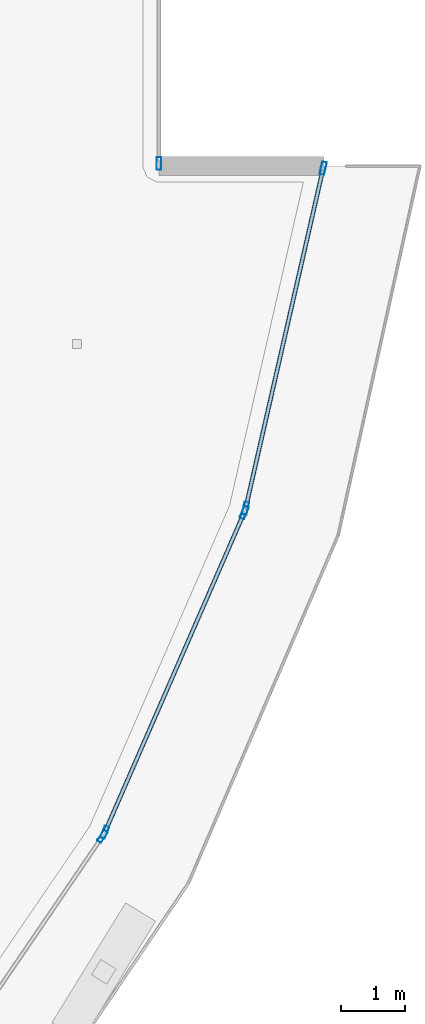
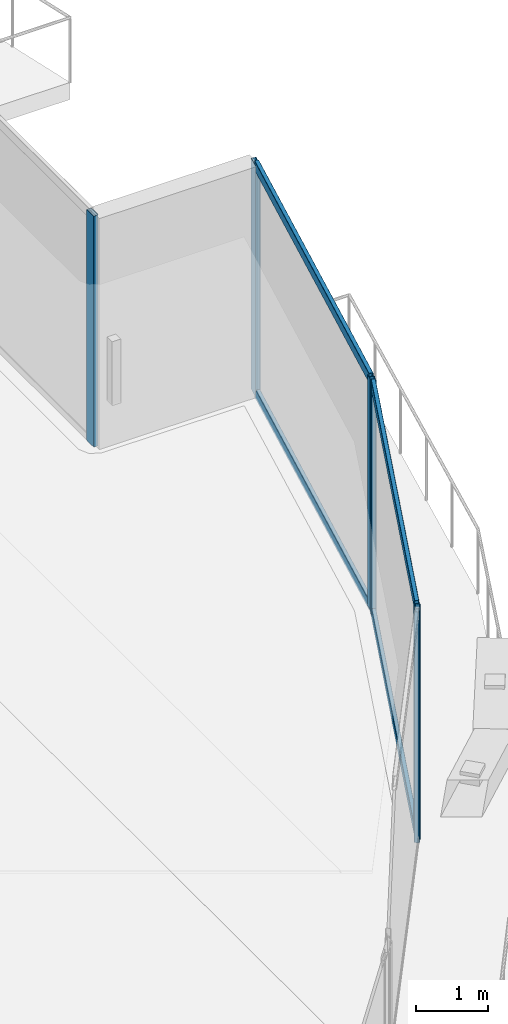
# One storey, part 9 of 31: 10 members, 4 elements without a shape of their own.
"""IFC4 building model written with IfcOpenShell, lengths in metres."""

from ifc_helpers import new_model, si_unit, direction, frame, origin, origin_2d, place, context, subcontext, project, spatial, hollow_rectangle, extrude, material, layer, layer_set, material_profile, profile_set, type_object, element, aggregate, save


model = new_model("IFC4")

# Units and contexts
model_context = context("Model", 3, precision=1e-05, world=origin(), true_north=direction((0.0, 1.0)))
body_context = subcontext(model_context, "Body", "Model", "MODEL_VIEW")
ifc_project = project(units=[si_unit("LENGTHUNIT", "METRE"), si_unit("AREAUNIT", "SQUARE_METRE"), si_unit("VOLUMEUNIT", "CUBIC_METRE"), si_unit("PLANEANGLEUNIT", "RADIAN"), si_unit("MASSUNIT", "GRAM", prefix="KILO")], contexts=[model_context])

# Site, building, storey
site_placement = place(None, origin())
site = spatial("IfcSite", under=ifc_project, at=site_placement, CompositionType="ELEMENT")
building_placement = place(site_placement, origin())
building = spatial("IfcBuilding", under=site, at=building_placement, Name="Qorvath Tower", CompositionType="ELEMENT")
storey_placement = place(building_placement, frame((0.0, 0.0, 259.800048828125)))
storey = spatial("IfcBuildingStorey", under=building, at=storey_placement, Name="L60", CompositionType="ELEMENT", Elevation=259.800048828125)

# Curtain wall, member
ifc_material_1 = material(Name="Anodised aluminium and triple low-E glass", Category="aluminium")
ifc_layer = layer(ifc_material_1, 0.179931640625)
ifc_layer_set = layer_set([ifc_layer], Name="CW-SYS-4")
curtain_wall_type = type_object("IfcCurtainWallType", Name="CW-SYS-4", PredefinedType="NOTDEFINED", material=ifc_layer_set)
curtain_wall_1_placement = place(storey_placement, origin())
curtain_wall_1 = element("IfcCurtainWall", 1, at=curtain_wall_1_placement, inside=storey, type_object=curtain_wall_type, Name="Curtain Wall CW-4 CW-T-L60-5.1", PredefinedType="NOTDEFINED")
ifc_material_2 = material(Name="Anodised aluminium 6063-T6", Category="aluminium")
ifc_material_profile_1 = material_profile(ifc_material_2, hollow_rectangle(XDim=0.074951171875, YDim=0.199951171875, WallThickness=0.00390625, InnerFilletRadius=0.00390625, OuterFilletRadius=0.008056640625, at=origin_2d()), Name="CWM 200x75")
ifc_profile_set_1 = profile_set([ifc_material_profile_1], Name="Anodised aluminium 6063-T6")
member_type_1 = type_object("IfcMemberType", Name="CWM-200", PredefinedType="MULLION", material=ifc_profile_set_1)
member_1_placement = place(storey_placement, frame((-4.93310546875, -14.375732421875, 0.0), z_axis=(0.0, 0.0, 1.0), x_axis=(-0.826358006639, 0.563145136589, 0.0)))
member_1 = element("IfcMember", 2, at=member_1_placement, type_object=member_type_1, Name="CW-4 mullion 2", PredefinedType="MULLION", context=body_context, shape_type="SweptSolid", body=[
    extrude(hollow_rectangle(XDim=0.074951171875, YDim=0.199951171875, WallThickness=0.00390625, InnerFilletRadius=0.00390625, OuterFilletRadius=0.008056640625, at=origin_2d()), origin(), (0.0, 0.0, 1.0), 3.909912109375),
])
aggregate(curtain_wall_1, [member_1])

# Curtain wall, members
curtain_wall_2_placement = place(storey_placement, origin())
curtain_wall_2 = element("IfcCurtainWall", 3, at=curtain_wall_2_placement, inside=storey, type_object=curtain_wall_type, Name="Curtain Wall CW-4 CW-T-L60-6.1", PredefinedType="NOTDEFINED")
member_2_placement = place(storey_placement, frame((-4.89697265625, -14.310302734375, 0.0), z_axis=(0.0, 0.0, 1.0), x_axis=(-0.916612312055, 0.399777274729, 0.0)))
member_2 = element("IfcMember", 4, at=member_2_placement, type_object=member_type_1, Name="CW-4 mullion 1", PredefinedType="MULLION", context=body_context, shape_type="SweptSolid", body=[
    extrude(hollow_rectangle(XDim=0.074951171875, YDim=0.199951171875, WallThickness=0.00390625, InnerFilletRadius=0.00390625, OuterFilletRadius=0.008056640625, at=origin_2d()), origin(), (0.0, 0.0, 1.0), 3.909912109375),
])
member_3_placement = place(storey_placement, frame((-2.71337890625, -9.30419921875, 0.0), z_axis=(0.0, 0.0, 1.0), x_axis=(-0.916612312055, 0.399777274729, 0.0)))
member_3 = element("IfcMember", 5, at=member_3_placement, type_object=member_type_1, Name="CW-4 mullion 2", PredefinedType="MULLION", context=body_context, shape_type="SweptSolid", body=[
    extrude(hollow_rectangle(XDim=0.074951171875, YDim=0.199951171875, WallThickness=0.00390625, InnerFilletRadius=0.00390625, OuterFilletRadius=0.008056640625, at=origin_2d()), origin(), (0.0, 0.0, 1.0), 3.909912109375),
])

curtain_wall_3_placement = place(storey_placement, origin())
curtain_wall_3 = element("IfcCurtainWall", 6, at=curtain_wall_3_placement, inside=storey, type_object=curtain_wall_type, Name="Curtain Wall CW-4 CW-T-L60-7.1", PredefinedType="NOTDEFINED")
member_4_placement = place(storey_placement, frame((-2.690185546875, -9.233154296875, 0.0), z_axis=(0.0, 0.0, 1.0), x_axis=(-0.97494194825, 0.22245942898, 0.0)))
member_4 = element("IfcMember", 7, at=member_4_placement, type_object=member_type_1, Name="CW-4 mullion 1", PredefinedType="MULLION", context=body_context, shape_type="SweptSolid", body=[
    extrude(hollow_rectangle(XDim=0.074951171875, YDim=0.199951171875, WallThickness=0.00390625, InnerFilletRadius=0.00390625, OuterFilletRadius=0.008056640625, at=origin_2d()), origin(), (0.0, 0.0, 1.0), 3.909912109375),
])
member_5_placement = place(storey_placement, frame((-1.47509765625, -3.908447265625, 0.0), z_axis=(0.0, 0.0, 1.0), x_axis=(-0.97494194825, 0.22245942898, 0.0)))
member_5 = element("IfcMember", 8, at=member_5_placement, type_object=member_type_1, Name="CW-4 mullion 2", PredefinedType="MULLION", context=body_context, shape_type="SweptSolid", body=[
    extrude(hollow_rectangle(XDim=0.074951171875, YDim=0.199951171875, WallThickness=0.00390625, InnerFilletRadius=0.00390625, OuterFilletRadius=0.008056640625, at=origin_2d()), origin(), (0.0, 0.0, 1.0), 3.909912109375),
])

# Curtain wall, member
curtain_wall_4_placement = place(storey_placement, origin())
curtain_wall_4 = element("IfcCurtainWall", 9, at=curtain_wall_4_placement, inside=storey, type_object=curtain_wall_type, Name="Curtain Wall CW-4 CW-T-L60-9.1", PredefinedType="NOTDEFINED")
member_6_placement = place(storey_placement, frame((-4.0478515625, -3.834228515625, 0.0), z_axis=(0.0, 0.0, 1.0), x_axis=(-1.0, 0.0, 0.0)))
member_6 = element("IfcMember", 10, at=member_6_placement, type_object=member_type_1, Name="CW-4 mullion 1", PredefinedType="MULLION", context=body_context, shape_type="SweptSolid", body=[
    extrude(hollow_rectangle(XDim=0.074951171875, YDim=0.199951171875, WallThickness=0.00390625, InnerFilletRadius=0.00390625, OuterFilletRadius=0.008056640625, at=origin_2d()), origin(), (0.0, 0.0, 1.0), 3.909912109375),
])
aggregate(curtain_wall_4, [member_6])

# Member
ifc_material_3 = material(Name="Anodised aluminium 6063-T6", Category="aluminium")
ifc_material_profile_2 = material_profile(ifc_material_3, hollow_rectangle(XDim=0.06494140625, YDim=0.159912109375, WallThickness=0.00341796875, InnerFilletRadius=0.00341796875, OuterFilletRadius=0.007080078125, at=origin_2d()), Name="CWT 160x65")
ifc_profile_set_2 = profile_set([ifc_material_profile_2], Name="Anodised aluminium 6063-T6")
member_type_2 = type_object("IfcMemberType", Name="CWT-160", PredefinedType="USERDEFINED", material=ifc_profile_set_2)
member_7_placement = place(storey_placement, frame((-4.8818359375, -14.27587890625, 0.032470703125), z_axis=(0.399769994455, 0.916615487286, 0.0), x_axis=(-0.916615487286, 0.399769994455, 0.0)))
member_7 = element("IfcMember", 11, at=member_7_placement, type_object=member_type_2, Name="CW-4 transom 1.1", ObjectType="TRANSOM", PredefinedType="USERDEFINED", context=body_context, shape_type="SweptSolid", body=[
    extrude(hollow_rectangle(XDim=0.06494140625, YDim=0.159912109375, WallThickness=0.00341796875, InnerFilletRadius=0.00341796875, OuterFilletRadius=0.007080078125, at=origin_2d()), origin(), (0.0, 0.0, 1.0), 5.386474609375),
])

member_8_placement = place(storey_placement, frame((-4.8818359375, -14.27587890625, 3.87744140625), z_axis=(0.399769994455, 0.916615487286, 0.0), x_axis=(-0.916615487286, 0.399769994455, 0.0)))
member_8 = element("IfcMember", 12, at=member_8_placement, type_object=member_type_2, Name="CW-4 transom 1.2", ObjectType="TRANSOM", PredefinedType="USERDEFINED", context=body_context, shape_type="SweptSolid", body=[
    extrude(hollow_rectangle(XDim=0.06494140625, YDim=0.159912109375, WallThickness=0.00341796875, InnerFilletRadius=0.00341796875, OuterFilletRadius=0.007080078125, at=origin_2d()), origin(), (0.0, 0.0, 1.0), 5.386474609375),
])

aggregate(curtain_wall_2, [member_2, member_3, member_7, member_8])

member_9_placement = place(storey_placement, frame((-2.681884765625, -9.19677734375, 0.032470703125), z_axis=(0.222478993506, 0.974937483867, 0.0), x_axis=(-0.974937483867, 0.222478993506, 0.0)))
member_9 = element("IfcMember", 13, at=member_9_placement, type_object=member_type_2, Name="CW-4 transom 1.1", ObjectType="TRANSOM", PredefinedType="USERDEFINED", context=body_context, shape_type="SweptSolid", body=[
    extrude(hollow_rectangle(XDim=0.06494140625, YDim=0.159912109375, WallThickness=0.00341796875, InnerFilletRadius=0.00341796875, OuterFilletRadius=0.007080078125, at=origin_2d()), origin(), (0.0, 0.0, 1.0), 5.386962890625),
])

member_10_placement = place(storey_placement, frame((-2.681884765625, -9.19677734375, 3.87744140625), z_axis=(0.222478993506, 0.974937483867, 0.0), x_axis=(-0.974937483867, 0.222478993506, 0.0)))
member_10 = element("IfcMember", 14, at=member_10_placement, type_object=member_type_2, Name="CW-4 transom 1.2", ObjectType="TRANSOM", PredefinedType="USERDEFINED", context=body_context, shape_type="SweptSolid", body=[
    extrude(hollow_rectangle(XDim=0.06494140625, YDim=0.159912109375, WallThickness=0.00341796875, InnerFilletRadius=0.00341796875, OuterFilletRadius=0.007080078125, at=origin_2d()), origin(), (0.0, 0.0, 1.0), 5.386962890625),
])

aggregate(curtain_wall_3, [member_4, member_5, member_9, member_10])

save(model, "model.ifc")
